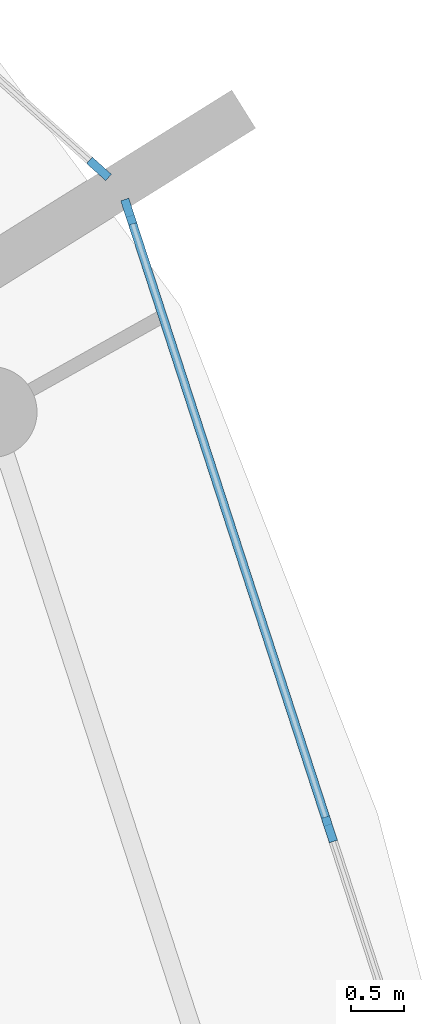
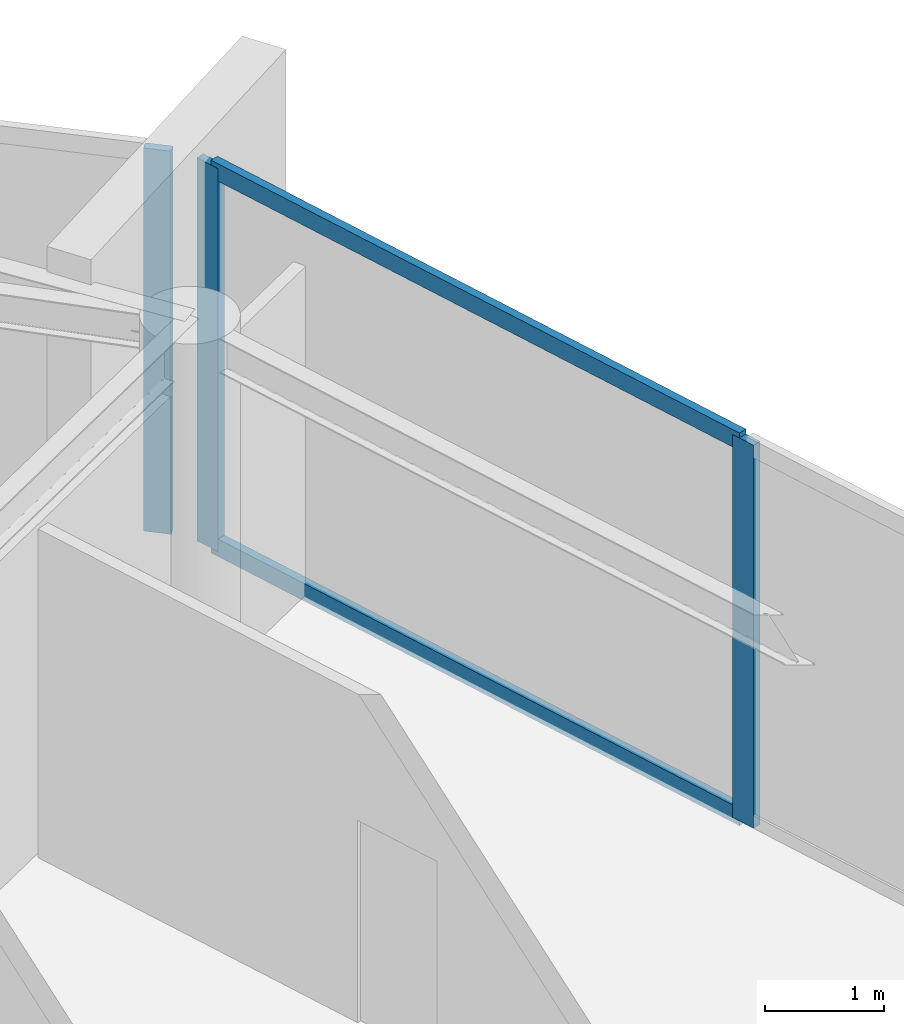
# One storey, part 8 of 22: 5 members, 2 elements without a shape of their own.
"""IFC4 building model written with IfcOpenShell, lengths in metres."""

from ifc_helpers import new_model, si_unit, direction, frame, origin, origin_2d, place, context, subcontext, project, spatial, rectangle, extrude, material, layer, layer_set, material_profile, profile_set, type_object, element, aggregate, save


model = new_model("IFC4")

# Units and contexts
model_context = context("Model", 3, precision=1e-05, world=origin(), true_north=direction((0.0, 1.0)))
body_context = subcontext(model_context, "Body", "Model", "MODEL_VIEW")
ifc_project = project(units=[si_unit("LENGTHUNIT", "METRE"), si_unit("AREAUNIT", "SQUARE_METRE"), si_unit("VOLUMEUNIT", "CUBIC_METRE"), si_unit("PLANEANGLEUNIT", "RADIAN"), si_unit("MASSUNIT", "GRAM", prefix="KILO")], contexts=[model_context])

# Site, building, storey
site_placement = place(None, origin())
site = spatial("IfcSite", under=ifc_project, at=site_placement, CompositionType="ELEMENT")
building_placement = place(site_placement, origin())
building = spatial("IfcBuilding", under=site, at=building_placement, Name="Kazma Halo Residences", CompositionType="ELEMENT")
storey_placement = place(building_placement, frame((0.0, 0.0, 334.699951171875)))
storey = spatial("IfcBuildingStorey", under=building, at=storey_placement, Name="L84", CompositionType="ELEMENT", Elevation=334.699951171875)

# Curtain wall, member
ifc_material_1 = material(Name="Aluminium AW-6063 T6 and Triple-Silver Low-E Glass", Category="aluminium")
ifc_layer = layer(ifc_material_1, 0.239990234375)
ifc_layer_set = layer_set([ifc_layer], Name="Aluminium AW-6063 T6 and Triple-Silver Low-E Glass")
curtain_wall_type = type_object("IfcCurtainWallType", Name="CW-SYS-6", PredefinedType="NOTDEFINED", material=ifc_layer_set)
curtain_wall_1_placement = place(storey_placement, origin())
curtain_wall_1 = element("IfcCurtainWall", 1, at=curtain_wall_1_placement, inside=storey, type_object=curtain_wall_type, Name="L84 unitised curtain wall B01", PredefinedType="NOTDEFINED")
ifc_material_2 = material(Name="Aluminium AW-6063 T6", Category="aluminium")
ifc_material_profile_1 = material_profile(ifc_material_2, rectangle(XDim=0.080078125, YDim=0.239990234375, at=origin_2d()), Name="CWM-80x240")
ifc_profile_set_1 = profile_set([ifc_material_profile_1], Name="Aluminium AW-6063 T6")
member_type_1 = type_object("IfcMemberType", Name="CW-SYS-6-MUL", PredefinedType="MULLION", material=ifc_profile_set_1)
member_1_placement = place(storey_placement, frame((69.968017578125, 56.013916015625, 0.0), z_axis=(0.0, 0.0, 1.0), x_axis=(-0.667757559118, -0.744378829791, 0.0)))
member_1 = element("IfcMember", 2, at=member_1_placement, type_object=member_type_1, Name="CWS-6 mullion 1", PredefinedType="MULLION", context=body_context, shape_type="SweptSolid", body=[
    extrude(rectangle(XDim=0.080078125, YDim=0.239990234375, at=origin_2d()), origin(), (0.0, 0.0, 1.0), 3.93994140625),
])
aggregate(curtain_wall_1, [member_1])

# Curtain wall, members
curtain_wall_2_placement = place(storey_placement, origin())
curtain_wall_2 = element("IfcCurtainWall", 3, at=curtain_wall_2_placement, inside=storey, type_object=curtain_wall_type, Name="L84 unitised curtain wall B16", PredefinedType="NOTDEFINED")
member_2_placement = place(storey_placement, frame((72.12255859375, 49.837890625, 0.0), z_axis=(0.0, 0.0, 1.0), x_axis=(-0.951055886462, -0.309018932797, 0.0)))
member_2 = element("IfcMember", 4, at=member_2_placement, type_object=member_type_1, Name="CWS-6 mullion 2", PredefinedType="MULLION", context=body_context, shape_type="SweptSolid", body=[
    extrude(rectangle(XDim=0.080078125, YDim=0.239990234375, at=origin_2d()), origin(), (0.0, 0.0, 1.0), 3.93994140625),
])
member_3_placement = place(storey_placement, frame((70.245849609375, 55.61328125, 0.0), z_axis=(0.0, 0.0, 1.0), x_axis=(-0.951055886462, -0.309018932797, 0.0)))
member_3 = element("IfcMember", 5, at=member_3_placement, type_object=member_type_1, Name="CWS-6 mullion 3", PredefinedType="MULLION", context=body_context, shape_type="SweptSolid", body=[
    extrude(rectangle(XDim=0.080078125, YDim=0.239990234375, at=origin_2d()), origin(), (0.0, 0.0, 1.0), 3.93994140625),
])
ifc_material_profile_2 = material_profile(ifc_material_2, rectangle(XDim=0.080078125, YDim=0.179931640625, at=origin_2d()), Name="CWT-80x180")
ifc_profile_set_2 = profile_set([ifc_material_profile_2], Name="Aluminium AW-6063 T6")
member_type_2 = type_object("IfcMemberType", Name="CW-SYS-6-TRN", PredefinedType="USERDEFINED", material=ifc_profile_set_2)
member_4_placement = place(storey_placement, frame((72.110107421875, 49.8759765625, 0.0400390625), z_axis=(-0.309019743831, 0.951055622938, 0.0), x_axis=(-0.951055622938, -0.309019743831, 0.0)))
member_4 = element("IfcMember", 6, at=member_4_placement, type_object=member_type_2, Name="CWS-6 transom 2.1", ObjectType="TRANSOM", PredefinedType="USERDEFINED", context=body_context, shape_type="SweptSolid", body=[
    extrude(rectangle(XDim=0.080078125, YDim=0.179931640625, at=origin_2d()), origin(), (0.0, 0.0, 1.0), 5.992431640625),
])
member_5_placement = place(storey_placement, frame((72.110107421875, 49.8759765625, 3.900146484375), z_axis=(-0.309019743831, 0.951055622938, 0.0), x_axis=(-0.951055622938, -0.309019743831, 0.0)))
member_5 = element("IfcMember", 7, at=member_5_placement, type_object=member_type_2, Name="CWS-6 transom 2.2", ObjectType="TRANSOM", PredefinedType="USERDEFINED", context=body_context, shape_type="SweptSolid", body=[
    extrude(rectangle(XDim=0.080078125, YDim=0.179931640625, at=origin_2d()), origin(), (0.0, 0.0, 1.0), 5.992431640625),
])
aggregate(curtain_wall_2, [member_2, member_3, member_4, member_5])

save(model, "model.ifc")
